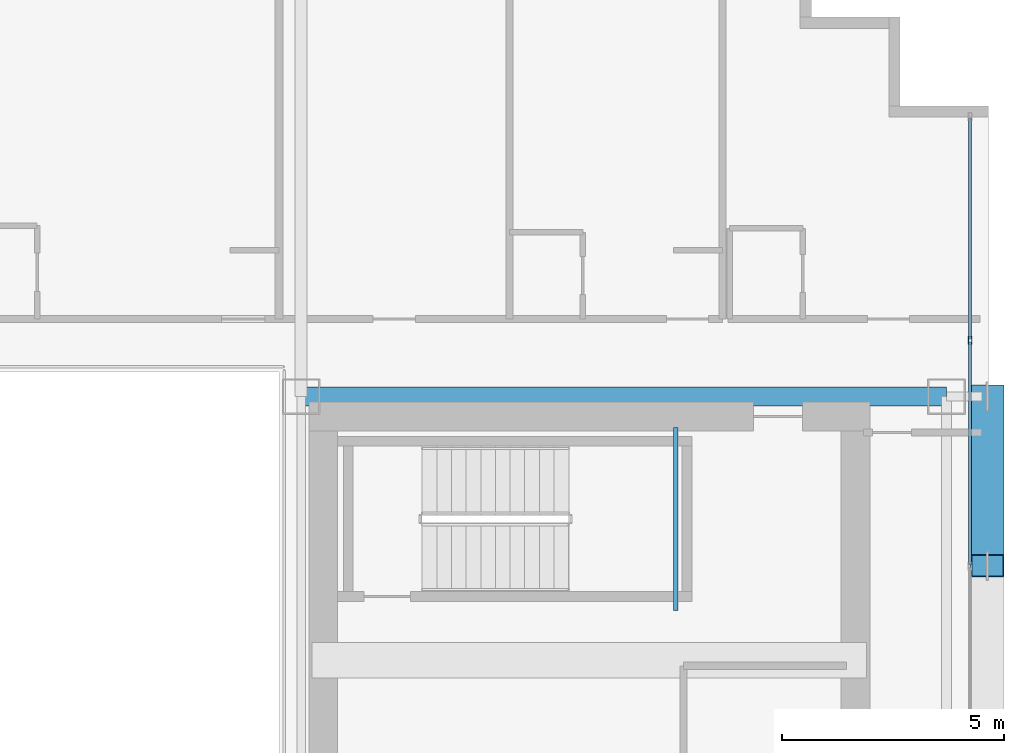
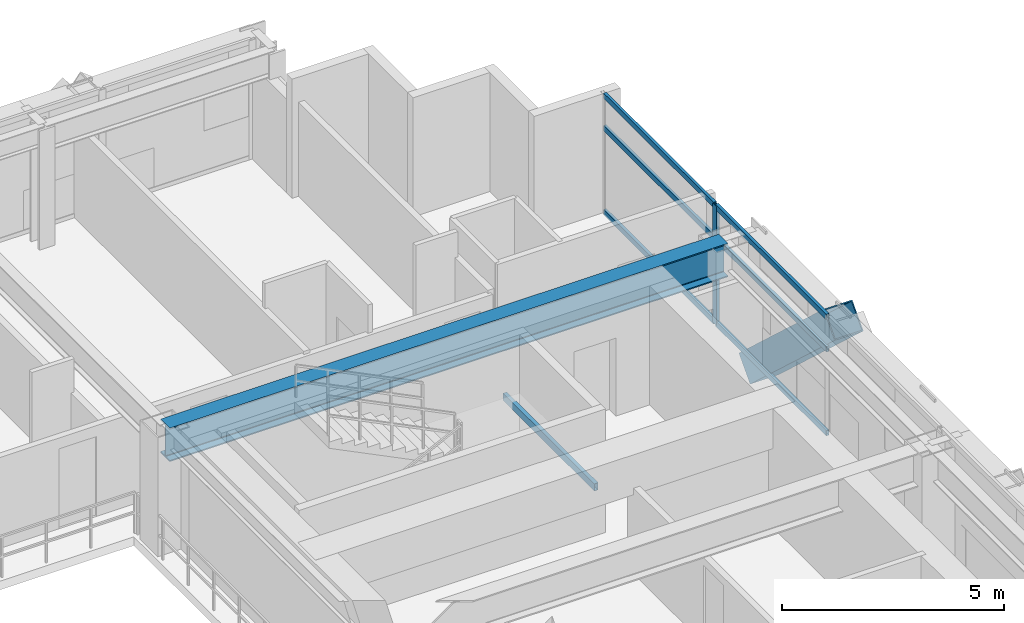
# One storey, part 20 of 36: 8 members, 2 beams, 1 element without a shape of its own.
"""IFC4 building model written with IfcOpenShell, lengths in metres."""

from ifc_helpers import new_model, si_unit, direction, frame, origin, origin_2d, place, context, subcontext, project, spatial, hollow_rectangle, i_section, extrude, source, transform, mapped, material, layer, layer_set, material_profile, profile_set, type_object, element, aggregate, save


model = new_model("IFC4")

# Units and contexts
model_context = context("Model", 3, precision=1e-05, world=origin(), true_north=direction((0.0, 1.0)))
body_context = subcontext(model_context, "Body", "Model", "MODEL_VIEW")
ifc_project = project(units=[si_unit("LENGTHUNIT", "METRE"), si_unit("AREAUNIT", "SQUARE_METRE"), si_unit("VOLUMEUNIT", "CUBIC_METRE"), si_unit("PLANEANGLEUNIT", "RADIAN"), si_unit("MASSUNIT", "GRAM", prefix="KILO")], contexts=[model_context])

# Site, building, storey
site_placement = place(None, origin())
site = spatial("IfcSite", under=ifc_project, at=site_placement, CompositionType="ELEMENT")
building_placement = place(site_placement, origin())
building = spatial("IfcBuilding", under=site, at=building_placement, Name="Ocotamira Hotel", CompositionType="ELEMENT")
storey_placement = place(building_placement, frame((0.0, 0.0, 147.60009765625)))
storey = spatial("IfcBuildingStorey", under=building, at=storey_placement, Name="L37", CompositionType="ELEMENT", Elevation=147.60009765625)

# Beams
ifc_material_1 = material(Name="Steel ASTM A500 Grade C", Category="steel")
ifc_material_profile_1 = material_profile(ifc_material_1, hollow_rectangle(XDim=0.10009765625, YDim=0.199951171875, WallThickness=0.008056640625, at=origin_2d()), Name="HSS200X100X8")
ifc_profile_set_1 = profile_set([ifc_material_profile_1], Name="Steel ASTM A500 Grade C")
beam_type_1 = type_object("IfcBeamType", Name="BM-STLDG-HSS200", PredefinedType="BEAM", material=ifc_profile_set_1)
shared_shape_1 = source(origin(), body_context, "Body", "SweptSolid", [
    extrude(hollow_rectangle(XDim=0.10009765625, YDim=0.199951171875, WallThickness=0.008056640625, at=origin_2d()), origin(), (0.0, 0.0, 1.0), 4.1201171875),
])
beam_1_placement = place(storey_placement, frame((48.949951171875, 32.6298828125, 1.5), z_axis=(0.0, 1.0, 0.0), x_axis=(-1.0, 0.0, 0.0)))
element("IfcBeam", 1, at=beam_1_placement, inside=storey, type_object=beam_type_1, Name="L37 Stair ST-4 Landing Bearer 1", PredefinedType="BEAM", context=body_context, shape_type="MappedRepresentation", body=[
    mapped(shared_shape_1, transform((0.0, 0.0, 0.0), scale=1.0)),
])
ifc_material_2 = material(Name="Steel ASTM A992 Grade 50", Category="steel")
ifc_material_profile_2 = material_profile(ifc_material_2, i_section(OverallWidth=0.41796875, OverallDepth=0.927001953125, WebThickness=0.019287109375, FlangeThickness=0.031982421875, FilletRadius=0.02392578125, at=origin_2d()), Name="W36X231")
ifc_profile_set_2 = profile_set([ifc_material_profile_2], Name="Steel ASTM A992 Grade 50")
beam_type_2 = type_object("IfcBeamType", Name="BM-GIRD-W36X231", PredefinedType="BEAM", material=ifc_profile_set_2)
shared_shape_2 = source(origin(), body_context, "Body", "SweptSolid", [
    extrude(i_section(OverallWidth=0.41796875, OverallDepth=0.927001953125, WebThickness=0.019287109375, FlangeThickness=0.031982421875, FilletRadius=0.02392578125, at=origin_2d()), origin(), (0.0, 0.0, 1.0), 14.550048828125),
])
beam_2_placement = place(storey_placement, frame((40.5, 37.449951171875, 2.81640625), z_axis=(1.0, 0.0, 0.0), x_axis=(0.0, 1.0, 0.0)))
element("IfcBeam", 2, at=beam_2_placement, inside=storey, type_object=beam_type_2, Name="L37 Girder Y37.45 X40.5-55.05", PredefinedType="BEAM", context=body_context, shape_type="MappedRepresentation", body=[
    mapped(shared_shape_2, transform((0.0, 0.0, 0.0), scale=1.0)),
])

# Member
ifc_material_3 = material(Name="Pale-metal coated steel ASTM A913 Grade 65", Category="steel")
ifc_material_profile_3 = material_profile(ifc_material_3, hollow_rectangle(XDim=0.75, YDim=0.75, WallThickness=0.028076171875, at=origin_2d()), Name="BOX750X750X28")
ifc_profile_set_3 = profile_set([ifc_material_profile_3], Name="Pale-metal coated steel ASTM A913 Grade 65")
member_type_1 = type_object("IfcMemberType", Name="MEM-EXO-BOX750", PredefinedType="BRACE", material=ifc_profile_set_3)
shared_shape_3 = source(origin(), body_context, "Body", "SweptSolid", [
    extrude(hollow_rectangle(XDim=0.75, YDim=0.75, WallThickness=0.028076171875, at=origin_2d()), origin(), (0.0, 0.0, 1.0), 5.19189453125),
])
member_1_placement = place(storey_placement, frame((55.969970703125, 37.449951171875, -0.489990234375), z_axis=(0.0, -0.735118858477, 0.677938244909), x_axis=(1.0, 0.0, 0.0)))
element("IfcMember", 3, at=member_1_placement, inside=storey, type_object=member_type_1, Name="L37 Exoskeleton Diagrid E2.2", PredefinedType="BRACE", context=body_context, shape_type="MappedRepresentation", body=[
    mapped(shared_shape_3, transform((0.0, 0.0, 0.0), scale=1.0)),
])

# Curtain wall, members
ifc_material_4 = material(Name="Anodised pale-metal aluminium and solar glass", Category="aluminium")
ifc_layer = layer(ifc_material_4, 0.179931640625)
ifc_layer_set = layer_set([ifc_layer], Name="Anodised pale-metal aluminium and solar glass")
curtain_wall_type = type_object("IfcCurtainWallType", Name="CW-SYS3-Z2", PredefinedType="NOTDEFINED", material=ifc_layer_set)
curtain_wall_placement = place(storey_placement, origin())
curtain_wall = element("IfcCurtainWall", 4, at=curtain_wall_placement, inside=storey, type_object=curtain_wall_type, Name="L37 Curtain Wall CW-3 CW-L37-E", PredefinedType="NOTDEFINED")
ifc_material_5 = material(Name="Anodised pale-metal aluminium 6063-T6", Category="aluminium")
ifc_material_profile_4 = material_profile(ifc_material_5, hollow_rectangle(XDim=0.074951171875, YDim=0.14990234375, WallThickness=0.006103515625, at=origin_2d()), Name="HSS150X75X6")
ifc_profile_set_4 = profile_set([ifc_material_profile_4], Name="Anodised pale-metal aluminium 6063-T6")
member_type_2 = type_object("IfcMemberType", Name="CWT-150X75", PredefinedType="USERDEFINED", material=ifc_profile_set_4)
shared_shape_4 = source(origin(), body_context, "Body", "SweptSolid", [
    extrude(hollow_rectangle(XDim=0.074951171875, YDim=0.14990234375, WallThickness=0.006103515625, at=origin_2d()), origin(), (0.0, 0.0, 1.0), 4.965576171875),
])
member_2_placement = place(storey_placement, frame((55.580078125, 38.75439453125, 0.037353515625), z_axis=(0.0, 1.0, 0.0), x_axis=(-1.0, 0.0, 0.0)))
member_2 = element("IfcMember", 5, at=member_2_placement, type_object=member_type_2, Name="CW-3 transom 7.1", ObjectType="TRANSOM", PredefinedType="USERDEFINED", context=body_context, shape_type="MappedRepresentation", body=[
    mapped(shared_shape_4, transform((0.0, 0.0, 0.0), scale=1.0)),
])
member_3_placement = place(storey_placement, frame((55.580078125, 38.75439453125, 2.349853515625), z_axis=(0.0, 1.0, 0.0), x_axis=(-1.0, 0.0, 0.0)))
member_3 = element("IfcMember", 6, at=member_3_placement, type_object=member_type_2, Name="CW-3 transom 7.2", ObjectType="TRANSOM", PredefinedType="USERDEFINED", context=body_context, shape_type="MappedRepresentation", body=[
    mapped(shared_shape_4, transform((0.0, 0.0, 0.0), scale=1.0)),
])
member_4_placement = place(storey_placement, frame((55.580078125, 38.75439453125, 3.242431640625), z_axis=(0.0, 1.0, 0.0), x_axis=(-1.0, 0.0, 0.0)))
member_4 = element("IfcMember", 7, at=member_4_placement, type_object=member_type_2, Name="CW-3 transom 7.3", ObjectType="TRANSOM", PredefinedType="USERDEFINED", context=body_context, shape_type="MappedRepresentation", body=[
    mapped(shared_shape_4, transform((0.0, 0.0, 0.0), scale=1.0)),
])
shared_shape_5 = source(origin(), body_context, "Body", "SweptSolid", [
    extrude(hollow_rectangle(XDim=0.074951171875, YDim=0.14990234375, WallThickness=0.006103515625, at=origin_2d()), origin(), (0.0, 0.0, 1.0), 5.005859375),
])
member_5_placement = place(storey_placement, frame((55.580078125, 33.66845703125, 0.037353515625), z_axis=(0.0, 1.0, 0.0), x_axis=(-1.0, 0.0, 0.0)))
member_5 = element("IfcMember", 8, at=member_5_placement, type_object=member_type_2, Name="CW-3 transom 6.1", ObjectType="TRANSOM", PredefinedType="USERDEFINED", context=body_context, shape_type="MappedRepresentation", body=[
    mapped(shared_shape_5, transform((0.0, 0.0, 0.0), scale=1.0)),
])
member_6_placement = place(storey_placement, frame((55.580078125, 33.66845703125, 2.349853515625), z_axis=(0.0, 1.0, 0.0), x_axis=(-1.0, 0.0, 0.0)))
member_6 = element("IfcMember", 9, at=member_6_placement, type_object=member_type_2, Name="CW-3 transom 6.2", ObjectType="TRANSOM", PredefinedType="USERDEFINED", context=body_context, shape_type="MappedRepresentation", body=[
    mapped(shared_shape_5, transform((0.0, 0.0, 0.0), scale=1.0)),
])
member_7_placement = place(storey_placement, frame((55.580078125, 33.66845703125, 3.242431640625), z_axis=(0.0, 1.0, 0.0), x_axis=(-1.0, 0.0, 0.0)))
member_7 = element("IfcMember", 10, at=member_7_placement, type_object=member_type_2, Name="CW-3 transom 6.3", ObjectType="TRANSOM", PredefinedType="USERDEFINED", context=body_context, shape_type="MappedRepresentation", body=[
    mapped(shared_shape_5, transform((0.0, 0.0, 0.0), scale=1.0)),
])
ifc_material_profile_5 = material_profile(ifc_material_5, hollow_rectangle(XDim=0.080078125, YDim=0.179931640625, WallThickness=0.006103515625, at=origin_2d()), Name="HSS180X80X6")
ifc_profile_set_5 = profile_set([ifc_material_profile_5], Name="Anodised pale-metal aluminium 6063-T6")
member_type_3 = type_object("IfcMemberType", Name="CWM-180X75", PredefinedType="MULLION", material=ifc_profile_set_5)
shared_shape_6 = source(origin(), body_context, "Body", "SweptSolid", [
    extrude(hollow_rectangle(XDim=0.080078125, YDim=0.179931640625, WallThickness=0.006103515625, at=origin_2d()), origin(), (0.0, 0.0, 1.0), 3.27978515625),
])
member_8_placement = place(storey_placement, frame((55.580078125, 38.71435546875, 0.0), z_axis=(0.0, 0.0, 1.0), x_axis=(-1.0, 0.0, 0.0)))
member_8 = element("IfcMember", 11, at=member_8_placement, type_object=member_type_3, Name="CW-3 mullion 7", PredefinedType="MULLION", context=body_context, shape_type="MappedRepresentation", body=[
    mapped(shared_shape_6, transform((0.0, 0.0, 0.0), scale=1.0)),
])
aggregate(curtain_wall, [member_8, member_5, member_6, member_7, member_2, member_3, member_4])

save(model, "model.ifc")
